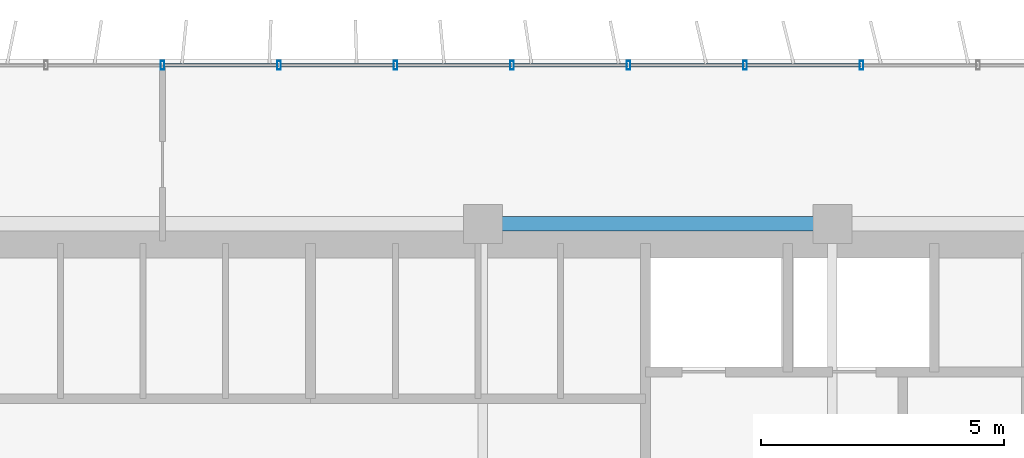
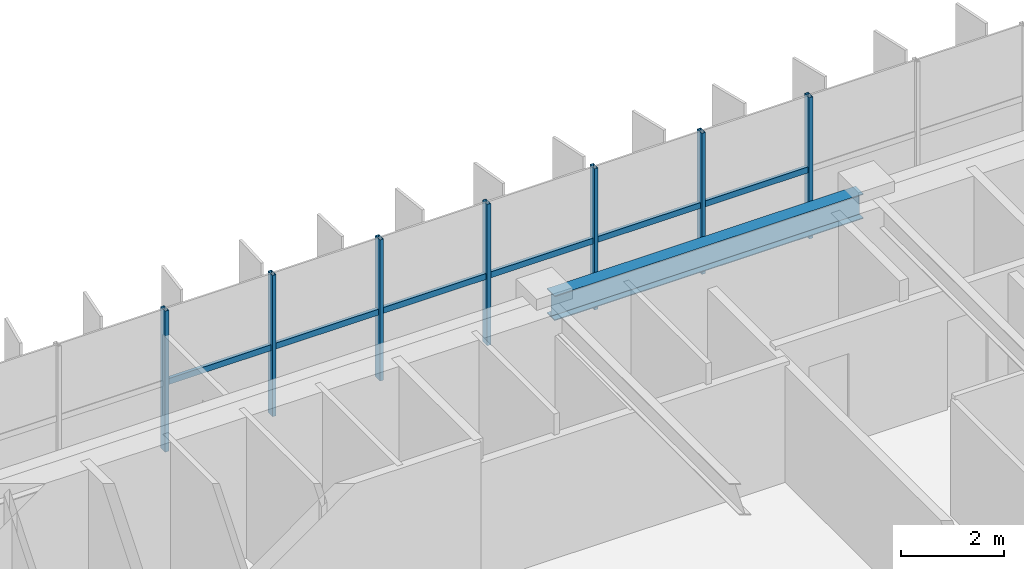
# One storey, part 9 of 22: 13 members, 1 beam, 1 element without a shape of its own.
"""IFC4 building model written with IfcOpenShell, lengths in metres."""

from ifc_helpers import new_model, si_unit, direction, frame, origin, origin_2d, place, context, subcontext, project, spatial, hollow_rectangle, i_section, extrude, source, transform, mapped, material, material_profile, profile_set, type_object, element, aggregate, save


model = new_model("IFC4")

# Units and contexts
model_context = context("Model", 3, precision=1e-05, world=origin(), true_north=direction((0.0, 1.0)))
body_context = subcontext(model_context, "Body", "Model", "MODEL_VIEW")
ifc_project = project(units=[si_unit("LENGTHUNIT", "METRE"), si_unit("AREAUNIT", "SQUARE_METRE"), si_unit("VOLUMEUNIT", "CUBIC_METRE"), si_unit("PLANEANGLEUNIT", "RADIAN"), si_unit("MASSUNIT", "GRAM", prefix="KILO")], contexts=[model_context])

# Site, building, storey
site_placement = place(None, origin())
site = spatial("IfcSite", under=ifc_project, at=site_placement, CompositionType="ELEMENT")
building_placement = place(site_placement, origin())
building = spatial("IfcBuilding", under=site, at=building_placement, Name="Trelvane Seafront Commons", CompositionType="ELEMENT")
storey_placement = place(building_placement, frame((0.0, 0.0, 121.300048828125)))
storey = spatial("IfcBuildingStorey", under=building, at=storey_placement, Name="L31", CompositionType="ELEMENT", Elevation=121.300048828125)

# Beam
ifc_material_1 = material(Name="Steel SM355 (S355)", Category="steel")
ifc_material_profile_1 = material_profile(ifc_material_1, i_section(OverallWidth=0.300048828125, OverallDepth=0.587890625, WebThickness=0.011962890625, FlangeThickness=0.02001953125, at=origin_2d()), Name="H-588x300x12x20")
ifc_profile_set_1 = profile_set([ifc_material_profile_1], Name="Steel SM355 (S355)")
beam_type = type_object("IfcBeamType", Name="STR-BM-H588", PredefinedType="BEAM", material=ifc_profile_set_1)
shared_shape_1 = source(origin(), body_context, "Body", "SweptSolid", [
    extrude(i_section(OverallWidth=0.300048828125, OverallDepth=0.587890625, WebThickness=0.011962890625, FlangeThickness=0.02001953125, at=origin_2d()), origin(), (0.0, 0.0, 1.0), 6.900146484375),
])
beam_placement = place(storey_placement, frame((43.949951171875, 45.10009765625, 3.0458984375), z_axis=(1.0, 0.0, 0.0), x_axis=(0.0, 1.0, 0.0)))
element("IfcBeam", 1, at=beam_placement, inside=storey, type_object=beam_type, Name="L31 Primary Girder G-33", PredefinedType="BEAM", context=body_context, shape_type="MappedRepresentation", body=[
    mapped(shared_shape_1, transform((0.0, 0.0, 0.0), x_axis=(1.0, 0.0, 0.0), y_axis=(0.0, 1.0, 0.0), z_axis=(0.0, 0.0, 1.0), scale=1.0)),
])

# Curtain wall, members
ifc_material_2 = material(Name="Anodised pale-silver aluminium", Category="aluminium")
curtain_wall_type = type_object("IfcCurtainWallType", Name="ARCH-CW4-SKYLOBBY", PredefinedType="NOTDEFINED", material=ifc_material_2)
curtain_wall_placement = place(storey_placement, origin())
curtain_wall = element("IfcCurtainWall", 2, at=curtain_wall_placement, inside=storey, type_object=curtain_wall_type, Name="CW-L31-0056", PredefinedType="NOTDEFINED")
ifc_material_profile_2 = material_profile(ifc_material_2, hollow_rectangle(XDim=0.074951171875, YDim=0.139892578125, WallThickness=0.00390625, at=origin_2d()), Name="TRAN-75x140x4")
ifc_profile_set_2 = profile_set([ifc_material_profile_2], Name="Anodised pale-silver aluminium")
member_type_1 = type_object("IfcMemberType", Name="ARCH-CW-TRAN-140", PredefinedType="USERDEFINED", material=ifc_profile_set_2)
shared_shape_2 = source(origin(), body_context, "Body", "SweptSolid", [
    extrude(hollow_rectangle(XDim=0.074951171875, YDim=0.139892578125, WallThickness=0.00390625, at=origin_2d()), origin(), (0.0, 0.0, 1.0), 2.3759765625),
])
member_1_placement = place(storey_placement, frame((37.2119140625, 48.3701171875, 1.60302734375), z_axis=(1.0, 0.0, 0.0), x_axis=(0.0, 1.0, 0.0)))
member_1 = element("IfcMember", 3, at=member_1_placement, type_object=member_type_1, Name="CW-L31-0056-T09", ObjectType="TRANSOM", PredefinedType="USERDEFINED", context=body_context, shape_type="MappedRepresentation", body=[
    mapped(shared_shape_2, transform((0.0, 0.0, 0.0), x_axis=(1.0, 0.0, 0.0), y_axis=(0.0, 1.0, 0.0), z_axis=(0.0, 0.0, 1.0), scale=1.0)),
])
member_2_placement = place(storey_placement, frame((39.612060546875, 48.3701171875, 1.60302734375), z_axis=(1.0, 0.0, 0.0), x_axis=(0.0, 1.0, 0.0)))
member_2 = element("IfcMember", 4, at=member_2_placement, type_object=member_type_1, Name="CW-L31-0056-T10", ObjectType="TRANSOM", PredefinedType="USERDEFINED", context=body_context, shape_type="MappedRepresentation", body=[
    mapped(shared_shape_2, transform((0.0, 0.0, 0.0), x_axis=(1.0, 0.0, 0.0), y_axis=(0.0, 1.0, 0.0), z_axis=(0.0, 0.0, 1.0), scale=1.0)),
])
member_3_placement = place(storey_placement, frame((42.011962890625, 48.3701171875, 1.60302734375), z_axis=(1.0, 0.0, 0.0), x_axis=(0.0, 1.0, 0.0)))
member_3 = element("IfcMember", 5, at=member_3_placement, type_object=member_type_1, Name="CW-L31-0056-T11", ObjectType="TRANSOM", PredefinedType="USERDEFINED", context=body_context, shape_type="MappedRepresentation", body=[
    mapped(shared_shape_2, transform((0.0, 0.0, 0.0), x_axis=(1.0, 0.0, 0.0), y_axis=(0.0, 1.0, 0.0), z_axis=(0.0, 0.0, 1.0), scale=1.0)),
])
member_4_placement = place(storey_placement, frame((44.412109375, 48.3701171875, 1.60302734375), z_axis=(1.0, 0.0, 0.0), x_axis=(0.0, 1.0, 0.0)))
member_4 = element("IfcMember", 6, at=member_4_placement, type_object=member_type_1, Name="CW-L31-0056-T12", ObjectType="TRANSOM", PredefinedType="USERDEFINED", context=body_context, shape_type="MappedRepresentation", body=[
    mapped(shared_shape_2, transform((0.0, 0.0, 0.0), x_axis=(1.0, 0.0, 0.0), y_axis=(0.0, 1.0, 0.0), z_axis=(0.0, 0.0, 1.0), scale=1.0)),
])
member_5_placement = place(storey_placement, frame((46.81201171875, 48.3701171875, 1.60302734375), z_axis=(1.0, 0.0, 0.0), x_axis=(0.0, 1.0, 0.0)))
member_5 = element("IfcMember", 7, at=member_5_placement, type_object=member_type_1, Name="CW-L31-0056-T13", ObjectType="TRANSOM", PredefinedType="USERDEFINED", context=body_context, shape_type="MappedRepresentation", body=[
    mapped(shared_shape_2, transform((0.0, 0.0, 0.0), x_axis=(1.0, 0.0, 0.0), y_axis=(0.0, 1.0, 0.0), z_axis=(0.0, 0.0, 1.0), scale=1.0)),
])
member_6_placement = place(storey_placement, frame((49.2119140625, 48.3701171875, 1.60302734375), z_axis=(1.0, 0.0, 0.0), x_axis=(0.0, 1.0, 0.0)))
member_6 = element("IfcMember", 8, at=member_6_placement, type_object=member_type_1, Name="CW-L31-0056-T14", ObjectType="TRANSOM", PredefinedType="USERDEFINED", context=body_context, shape_type="MappedRepresentation", body=[
    mapped(shared_shape_2, transform((0.0, 0.0, 0.0), x_axis=(1.0, 0.0, 0.0), y_axis=(0.0, 1.0, 0.0), z_axis=(0.0, 0.0, 1.0), scale=1.0)),
])
ifc_material_profile_3 = material_profile(ifc_material_2, hollow_rectangle(XDim=0.080078125, YDim=0.179931640625, WallThickness=0.00439453125, at=origin_2d()), Name="MULL-80x180x4.5")
ifc_profile_set_3 = profile_set([ifc_material_profile_3], Name="Anodised pale-silver aluminium")
member_type_2 = type_object("IfcMemberType", Name="ARCH-CW-MULL-180", PredefinedType="MULLION", material=ifc_profile_set_3)
shared_shape_3 = source(origin(), body_context, "Body", "SweptSolid", [
    extrude(hollow_rectangle(XDim=0.080078125, YDim=0.179931640625, WallThickness=0.00439453125, at=origin_2d()), origin(), (0.0, 0.0, 1.0), 3.33984375),
])
member_7_placement = place(storey_placement, frame((37.199951171875, 48.3701171875, 0.0), z_axis=(0.0, 0.0, 1.0), x_axis=(1.0, 0.0, 0.0)))
member_7 = element("IfcMember", 9, at=member_7_placement, type_object=member_type_2, Name="CW-L31-0056-M09", PredefinedType="MULLION", context=body_context, shape_type="MappedRepresentation", body=[
    mapped(shared_shape_3, transform((0.0, 0.0, 0.0), x_axis=(1.0, 0.0, 0.0), y_axis=(0.0, 1.0, 0.0), z_axis=(0.0, 0.0, 1.0), scale=1.0)),
])
member_8_placement = place(storey_placement, frame((39.60009765625, 48.3701171875, 0.0), z_axis=(0.0, 0.0, 1.0), x_axis=(1.0, 0.0, 0.0)))
member_8 = element("IfcMember", 10, at=member_8_placement, type_object=member_type_2, Name="CW-L31-0056-M10", PredefinedType="MULLION", context=body_context, shape_type="MappedRepresentation", body=[
    mapped(shared_shape_3, transform((0.0, 0.0, 0.0), x_axis=(1.0, 0.0, 0.0), y_axis=(0.0, 1.0, 0.0), z_axis=(0.0, 0.0, 1.0), scale=1.0)),
])
member_9_placement = place(storey_placement, frame((42.0, 48.3701171875, 0.0), z_axis=(0.0, 0.0, 1.0), x_axis=(1.0, 0.0, 0.0)))
member_9 = element("IfcMember", 11, at=member_9_placement, type_object=member_type_2, Name="CW-L31-0056-M11", PredefinedType="MULLION", context=body_context, shape_type="MappedRepresentation", body=[
    mapped(shared_shape_3, transform((0.0, 0.0, 0.0), x_axis=(1.0, 0.0, 0.0), y_axis=(0.0, 1.0, 0.0), z_axis=(0.0, 0.0, 1.0), scale=1.0)),
])
member_10_placement = place(storey_placement, frame((44.39990234375, 48.3701171875, 0.0), z_axis=(0.0, 0.0, 1.0), x_axis=(1.0, 0.0, 0.0)))
member_10 = element("IfcMember", 12, at=member_10_placement, type_object=member_type_2, Name="CW-L31-0056-M12", PredefinedType="MULLION", context=body_context, shape_type="MappedRepresentation", body=[
    mapped(shared_shape_3, transform((0.0, 0.0, 0.0), x_axis=(1.0, 0.0, 0.0), y_axis=(0.0, 1.0, 0.0), z_axis=(0.0, 0.0, 1.0), scale=1.0)),
])
member_11_placement = place(storey_placement, frame((46.800048828125, 48.3701171875, 0.0), z_axis=(0.0, 0.0, 1.0), x_axis=(1.0, 0.0, 0.0)))
member_11 = element("IfcMember", 13, at=member_11_placement, type_object=member_type_2, Name="CW-L31-0056-M13", PredefinedType="MULLION", context=body_context, shape_type="MappedRepresentation", body=[
    mapped(shared_shape_3, transform((0.0, 0.0, 0.0), x_axis=(1.0, 0.0, 0.0), y_axis=(0.0, 1.0, 0.0), z_axis=(0.0, 0.0, 1.0), scale=1.0)),
])
member_12_placement = place(storey_placement, frame((49.199951171875, 48.3701171875, 0.0), z_axis=(0.0, 0.0, 1.0), x_axis=(1.0, 0.0, 0.0)))
member_12 = element("IfcMember", 14, at=member_12_placement, type_object=member_type_2, Name="CW-L31-0056-M14", PredefinedType="MULLION", context=body_context, shape_type="MappedRepresentation", body=[
    mapped(shared_shape_3, transform((0.0, 0.0, 0.0), x_axis=(1.0, 0.0, 0.0), y_axis=(0.0, 1.0, 0.0), z_axis=(0.0, 0.0, 1.0), scale=1.0)),
])
member_13_placement = place(storey_placement, frame((51.60009765625, 48.3701171875, 0.0), z_axis=(0.0, 0.0, 1.0), x_axis=(1.0, 0.0, 0.0)))
member_13 = element("IfcMember", 15, at=member_13_placement, type_object=member_type_2, Name="CW-L31-0056-M15", PredefinedType="MULLION", context=body_context, shape_type="MappedRepresentation", body=[
    mapped(shared_shape_3, transform((0.0, 0.0, 0.0), x_axis=(1.0, 0.0, 0.0), y_axis=(0.0, 1.0, 0.0), z_axis=(0.0, 0.0, 1.0), scale=1.0)),
])
aggregate(curtain_wall, [member_7, member_8, member_9, member_10, member_11, member_12, member_13, member_1, member_2, member_3, member_4, member_5, member_6])

save(model, "model.ifc")
